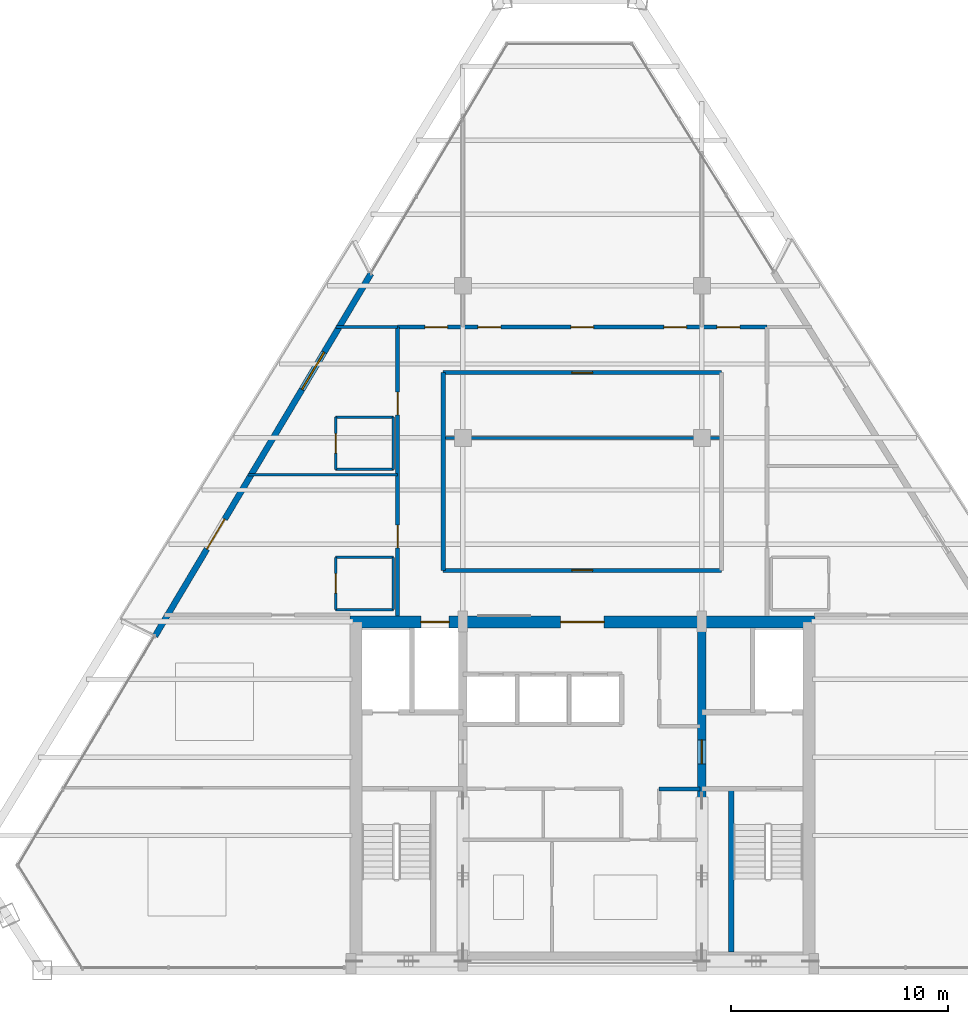
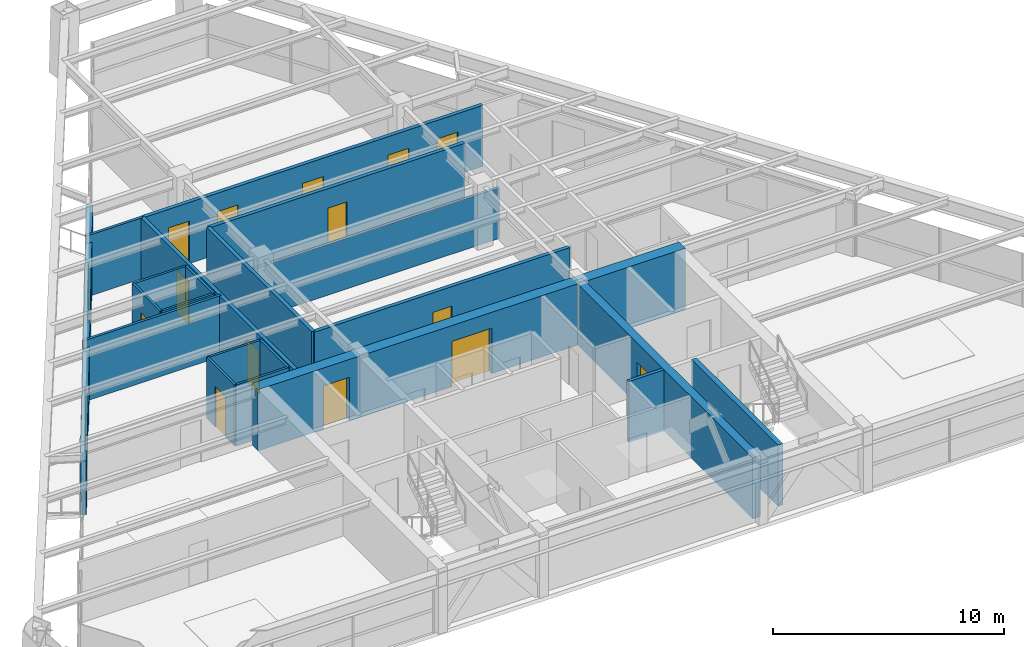
# One storey, part 9 of 12: 21 walls, 15 doors, 1 window, 16 openings.
"""IFC4 building model written with IfcOpenShell, lengths in metres."""

from ifc_helpers import new_model, si_unit, direction, frame, frame_2d, origin, place, context, subcontext, project, spatial, rectangle, extrude, source, transform, mapped, material, layer, layer_set, type_object, type_shapes, element, fill, save


model = new_model("IFC4")

# Units and contexts
model_context = context("Model", 3, precision=1e-05, world=origin(), true_north=direction((0.0, 1.0)))
body_context = subcontext(model_context, "Body", "Model", "MODEL_VIEW")
ifc_project = project(units=[si_unit("LENGTHUNIT", "METRE"), si_unit("AREAUNIT", "SQUARE_METRE"), si_unit("VOLUMEUNIT", "CUBIC_METRE"), si_unit("PLANEANGLEUNIT", "RADIAN"), si_unit("MASSUNIT", "GRAM", prefix="KILO")], contexts=[model_context])

# Site, building, storey
site_placement = place(None, origin())
site = spatial("IfcSite", under=ifc_project, at=site_placement, CompositionType="ELEMENT")
building_placement = place(site_placement, origin())
building = spatial("IfcBuilding", under=site, at=building_placement, Name="Varnakhor Terracotta Tower", CompositionType="ELEMENT")
storey_placement = place(building_placement, frame((0.0, 0.0, 226.89990234375)))
storey = spatial("IfcBuildingStorey", under=building, at=storey_placement, Name="L58", CompositionType="ELEMENT", Elevation=226.89990234375)

# Walls
ifc_material_1 = material(Name="Moisture-Resistant Tile-Backed Partition", Category="gypsum")
ifc_layer_1 = layer(ifc_material_1, 0.114990234375, Name="Moisture-Resistant Tile-Backed Partition")
ifc_layer_set_1 = layer_set([ifc_layer_1], Name="Moisture-Resistant Tile-Backed Partition")
wall_type_1 = type_object("IfcWallType", Name="WAL-BATH-115", PredefinedType="PARTITIONING", material=ifc_layer_set_1)
for number, where, z_axis, x_axis, name in (
    (1, (-11.35009765625, 16.60009765625, 0.0), (0.0, 0.0, 1.0), (1.0, 0.0, 0.0), "L58 En-Suite 1 Wall S"),
    (2, (-11.35009765625, 19.0, 0.0), (0.0, 0.0, 1.0), (1.0, 0.0, 0.0), "L58 En-Suite 1 Wall N"),
):
    element("IfcWall", number, at=place(storey_placement, frame(where, z_axis=z_axis, x_axis=x_axis)), inside=storey, type_object=wall_type_1, Name=name, PredefinedType="PARTITIONING", context=body_context, shape_type="SweptSolid", body=[
        extrude(rectangle(XDim=2.650146484375, YDim=0.114990234375, at=frame_2d((1.3251953125, 0.0))), origin(), (0.0, 0.0, 1.0), 3.232177734375),
    ])

# Wall, opening, door
wall_1_placement = place(storey_placement, frame((-11.35009765625, 16.60009765625, 0.0), z_axis=(0.0, 0.0, 1.0), x_axis=(0.0, 1.0, 0.0)))
wall_1 = element("IfcWall", 3, at=wall_1_placement, inside=storey, type_object=wall_type_1, Name="L58 En-Suite 1 Wall W", PredefinedType="PARTITIONING", context=body_context, shape_type="SweptSolid", body=[
    extrude(rectangle(XDim=2.39990234375, YDim=0.114990234375, at=frame_2d((1.199951171875, 0.0))), origin(), (0.0, 0.0, 1.0), 3.232177734375),
])
opening_1_placement = place(wall_1_placement, frame((0.75, 0.0, 0.0)))
opening_1 = element("IfcOpeningElement", 4, at=opening_1_placement, cuts=wall_1, Name="Opening DR-93", PredefinedType="OPENING", context=body_context, shape_type="SweptSolid", body=[
    extrude(rectangle(XDim=0.89990234375, YDim=2.14990234375, at=frame_2d((0.449951171875, 1.074951171875))), frame((0.0, 0.0673828125, 0.0), z_axis=(0.0, -1.0, 0.0), x_axis=(1.0, 0.0, 0.0)), (0.0, 0.0, 1.0), 0.135009765625),
])
ifc_material_2 = material(Name="Moisture-Resistant Accessible Bathroom Door", Category="wood")
door_type_1 = type_object("IfcDoorType", Name="DR-BATH-900X2150", OperationType="NOTDEFINED", PredefinedType="DOOR", material=ifc_material_2)
shared_shape_1 = source(origin(), body_context, "Body", "SweptSolid", [
    extrude(rectangle(XDim=0.89990234375, YDim=2.14990234375, at=frame_2d((0.449951171875, 1.074951171875))), frame((0.0, 0.02490234375, 0.0), z_axis=(0.0, -1.0, 0.0), x_axis=(1.0, 0.0, 0.0)), (0.0, 0.0, 1.0), 0.050048828125),
])
type_shapes(door_type_1, [shared_shape_1])
door_1_placement = place(opening_1_placement, origin())
door_1 = element("IfcDoor", 5, at=door_1_placement, inside=storey, type_object=door_type_1, Name="L58 En-Suite Bathroom 1 Door", OperationType="SINGLE_SWING_LEFT", OverallHeight=2.14990234375, OverallWidth=0.89990234375, PredefinedType="DOOR", context=body_context, shape_type="MappedRepresentation", body=[
    mapped(shared_shape_1, transform((0.0, 0.0, 0.0), scale=1.0)),
])
fill(opening_1, door_1)

# Walls
wall_2_placement = place(storey_placement, frame((-8.699951171875, 16.60009765625, 0.0), z_axis=(0.0, 0.0, 1.0), x_axis=(0.0, 1.0, 0.0)))
element("IfcWall", 6, at=wall_2_placement, inside=storey, type_object=wall_type_1, Name="L58 En-Suite 1 Wall E", PredefinedType="PARTITIONING", context=body_context, shape_type="SweptSolid", body=[
    extrude(rectangle(XDim=2.39990234375, YDim=0.114990234375, at=frame_2d((1.199951171875, 0.0))), origin(), (0.0, 0.0, 1.0), 3.232177734375),
])
for number, where, z_axis, x_axis, name in (
    (7, (-11.35009765625, 23.050048828125, 0.0), (0.0, 0.0, 1.0), (1.0, 0.0, 0.0), "L58 En-Suite 2 Wall S"),
    (8, (-11.35009765625, 25.449951171875, 0.0), (0.0, 0.0, 1.0), (1.0, 0.0, 0.0), "L58 En-Suite 2 Wall N"),
):
    element("IfcWall", number, at=place(storey_placement, frame(where, z_axis=z_axis, x_axis=x_axis)), inside=storey, type_object=wall_type_1, Name=name, PredefinedType="PARTITIONING", context=body_context, shape_type="SweptSolid", body=[
        extrude(rectangle(XDim=2.650146484375, YDim=0.114990234375, at=frame_2d((1.3251953125, 0.0))), origin(), (0.0, 0.0, 1.0), 3.232177734375),
    ])

# Wall, opening, door
wall_3_placement = place(storey_placement, frame((-11.35009765625, 23.050048828125, 0.0), z_axis=(0.0, 0.0, 1.0), x_axis=(0.0, 1.0, 0.0)))
wall_3 = element("IfcWall", 9, at=wall_3_placement, inside=storey, type_object=wall_type_1, Name="L58 En-Suite 2 Wall W", PredefinedType="PARTITIONING", context=body_context, shape_type="SweptSolid", body=[
    extrude(rectangle(XDim=2.39990234375, YDim=0.114990234375, at=frame_2d((1.199951171875, 0.0))), origin(), (0.0, 0.0, 1.0), 3.232177734375),
])
opening_2_placement = place(wall_3_placement, frame((0.75, 0.0, 0.0)))
opening_2 = element("IfcOpeningElement", 10, at=opening_2_placement, cuts=wall_3, Name="Opening DR-93", PredefinedType="OPENING", context=body_context, shape_type="SweptSolid", body=[
    extrude(rectangle(XDim=0.89990234375, YDim=2.14990234375, at=frame_2d((0.449951171875, 1.074951171875))), frame((0.0, 0.0673828125, 0.0), z_axis=(0.0, -1.0, 0.0), x_axis=(1.0, 0.0, 0.0)), (0.0, 0.0, 1.0), 0.135009765625),
])
door_2_placement = place(opening_2_placement, origin())
door_2 = element("IfcDoor", 11, at=door_2_placement, inside=storey, type_object=door_type_1, Name="L58 En-Suite Bathroom 2 Door", OperationType="SINGLE_SWING_LEFT", OverallHeight=2.14990234375, OverallWidth=0.89990234375, PredefinedType="DOOR", context=body_context, shape_type="MappedRepresentation", body=[
    mapped(shared_shape_1, transform((0.0, 0.0, 0.0), scale=1.0)),
])
fill(opening_2, door_2)

# Wall
wall_4_placement = place(storey_placement, frame((-8.699951171875, 23.050048828125, 0.0), z_axis=(0.0, 0.0, 1.0), x_axis=(0.0, 1.0, 0.0)))
element("IfcWall", 12, at=wall_4_placement, inside=storey, type_object=wall_type_1, Name="L58 En-Suite 2 Wall E", PredefinedType="PARTITIONING", context=body_context, shape_type="SweptSolid", body=[
    extrude(rectangle(XDim=2.39990234375, YDim=0.114990234375, at=frame_2d((1.199951171875, 0.0))), origin(), (0.0, 0.0, 1.0), 3.232177734375),
])

# Wall, openings, doors
ifc_material_3 = material(Name="Concrete C50/60", Category="concrete")
ifc_layer_2 = layer(ifc_material_3, 0.550048828125, Name="Concrete C50/60")
ifc_layer_set_2 = layer_set([ifc_layer_2], Name="Concrete C50/60")
wall_type_2 = type_object("IfcWallType", Name="WAL-CORE-550", PredefinedType="SHEAR", material=ifc_layer_set_2)
wall_5_placement = place(storey_placement, frame((-10.699951171875, 16.02490234375, 0.0), z_axis=(0.0, 0.0, 1.0), x_axis=(1.0, 0.0, 0.0)))
wall_5 = element("IfcWall", 13, at=wall_5_placement, inside=storey, type_object=wall_type_2, Name="L58 North Core Shear Wall", PredefinedType="SHEAR", context=body_context, shape_type="SweptSolid", body=[
    extrude(rectangle(XDim=21.39990234375, YDim=0.550048828125, at=frame_2d((10.699951171875, 0.0))), origin(), (0.0, 0.0, 1.0), 3.239990234375),
])
opening_3_placement = place(wall_5_placement, frame((3.27001953125, 0.0, 0.0)))
opening_3 = element("IfcOpeningElement", 14, at=opening_3_placement, cuts=wall_5, Name="Opening LD-03", PredefinedType="OPENING", context=body_context, shape_type="SweptSolid", body=[
    extrude(rectangle(XDim=1.300048828125, YDim=2.300048828125, at=frame_2d((0.64990234375, 1.14990234375))), frame((0.0, 0.28515625, 0.0), z_axis=(0.0, -1.0, 0.0), x_axis=(1.0, 0.0, 0.0)), (0.0, 0.0, 1.0), 0.570068359375),
])
opening_4_placement = place(wall_5_placement, frame((9.699951171875, 0.0, 0.0)))
opening_4 = element("IfcOpeningElement", 15, at=opening_4_placement, cuts=wall_5, Name="Opening DR-32", PredefinedType="OPENING", context=body_context, shape_type="SweptSolid", body=[
    extrude(rectangle(XDim=2.0, YDim=2.39990234375, at=frame_2d((1.0, 1.199951171875))), frame((0.0, 0.28515625, 0.0), z_axis=(0.0, -1.0, 0.0), x_axis=(1.0, 0.0, 0.0)), (0.0, 0.0, 1.0), 0.570068359375),
])
ifc_material_4 = material(Name="Heavy-Duty Goods Sliding Lift Landing Door", Category="steel")
door_type_2 = type_object("IfcDoorType", Name="LD-SRV-1300X2300", OperationType="NOTDEFINED", PredefinedType="DOOR", material=ifc_material_4)
shared_shape_2 = source(origin(), body_context, "Body", "SweptSolid", [
    extrude(rectangle(XDim=1.300048828125, YDim=2.300048828125, at=frame_2d((0.64990234375, 1.14990234375))), frame((0.0, 0.02490234375, 0.0), z_axis=(0.0, -1.0, 0.0), x_axis=(1.0, 0.0, 0.0)), (0.0, 0.0, 1.0), 0.050048828125),
])
type_shapes(door_type_2, [shared_shape_2])
door_3_placement = place(opening_3_placement, origin())
door_3 = element("IfcDoor", 16, at=door_3_placement, inside=storey, type_object=door_type_2, Name="L58 Service Lift SVL-1 Landing Door", OperationType="SLIDING_TO_RIGHT", OverallHeight=2.300048828125, OverallWidth=1.300048828125, PredefinedType="DOOR", context=body_context, shape_type="MappedRepresentation", body=[
    mapped(shared_shape_2, transform((0.0, 0.0, 0.0), scale=1.0)),
])
fill(opening_3, door_3)
ifc_material_5 = material(Name="Acoustic Double Assembly Fire Door", Category="wood")
door_type_3 = type_object("IfcDoorType", Name="DR-HALL-2000X2400", OperationType="NOTDEFINED", PredefinedType="DOOR", material=ifc_material_5)
shared_shape_3 = source(origin(), body_context, "Body", "SweptSolid", [
    extrude(rectangle(XDim=2.0, YDim=2.39990234375, at=frame_2d((1.0, 1.199951171875))), frame((0.0, 0.02490234375, 0.0), z_axis=(0.0, -1.0, 0.0), x_axis=(1.0, 0.0, 0.0)), (0.0, 0.0, 1.0), 0.050048828125),
])
type_shapes(door_type_3, [shared_shape_3])
door_4_placement = place(opening_4_placement, origin())
door_4 = element("IfcDoor", 17, at=door_4_placement, inside=storey, type_object=door_type_3, Name="L58 Core Main Lobby Double Door", OperationType="DOUBLE_DOOR_SINGLE_SWING", OverallHeight=2.39990234375, OverallWidth=2.0, PredefinedType="DOOR", context=body_context, shape_type="MappedRepresentation", body=[
    mapped(shared_shape_3, transform((0.0, 0.0, 0.0), scale=1.0)),
])
fill(opening_4, door_4)

# Wall, opening, door
ifc_layer_3 = layer(ifc_material_3, 0.39990234375, Name="Concrete C50/60")
ifc_layer_set_3 = layer_set([ifc_layer_3], Name="Concrete C50/60")
wall_type_3 = type_object("IfcWallType", Name="WAL-CORE-WEB-400", PredefinedType="SHEAR", material=ifc_layer_set_3)
wall_6_placement = place(storey_placement, frame((5.5, 0.574951171875, 0.0), z_axis=(0.0, 0.0, 1.0), x_axis=(0.0, 1.0, 0.0)))
wall_6 = element("IfcWall", 18, at=wall_6_placement, inside=storey, type_object=wall_type_3, Name="L58 East Core Web Shear Wall", PredefinedType="SHEAR", context=body_context, shape_type="SweptSolid", body=[
    extrude(rectangle(XDim=15.449951171875, YDim=0.39990234375, at=frame_2d((7.72509765625, 0.0))), origin(), (0.0, 0.0, 1.0), 3.239990234375),
])
opening_5_placement = place(wall_6_placement, frame((8.925048828125, 0.0, 0.0)))
opening_5 = element("IfcOpeningElement", 19, at=opening_5_placement, cuts=wall_6, Name="Opening DR-25", PredefinedType="OPENING", context=body_context, shape_type="SweptSolid", body=[
    extrude(rectangle(XDim=1.10009765625, YDim=2.199951171875, at=frame_2d((0.550048828125, 1.10009765625))), frame((0.0, 0.2099609375, 0.0), z_axis=(0.0, -1.0, 0.0), x_axis=(1.0, 0.0, 0.0)), (0.0, 0.0, 1.0), 0.419921875),
])
ifc_material_6 = material(Name="Firefighting Lobby Self-Closing Fire Door", Category="steel")
door_type_4 = type_object("IfcDoorType", Name="DR-FFL-1100X2200", OperationType="NOTDEFINED", PredefinedType="DOOR", material=ifc_material_6)
shared_shape_4 = source(origin(), body_context, "Body", "SweptSolid", [
    extrude(rectangle(XDim=1.10009765625, YDim=2.199951171875, at=frame_2d((0.550048828125, 1.10009765625))), frame((0.0, 0.02490234375, 0.0), z_axis=(0.0, -1.0, 0.0), x_axis=(1.0, 0.0, 0.0)), (0.0, 0.0, 1.0), 0.050048828125),
])
type_shapes(door_type_4, [shared_shape_4])
door_5_placement = place(opening_5_placement, origin())
door_5 = element("IfcDoor", 20, at=door_5_placement, inside=storey, type_object=door_type_4, Name="L58 East Firefighting Lobby Door", OperationType="SINGLE_SWING_RIGHT", OverallHeight=2.199951171875, OverallWidth=1.10009765625, PredefinedType="DOOR", context=body_context, shape_type="MappedRepresentation", body=[
    mapped(shared_shape_4, transform((0.0, 0.0, 0.0), scale=1.0)),
])
fill(opening_5, door_5)

ifc_material_7 = material(Name="Fire-Rated Gypsum Stud Partition", Category="gypsum")
ifc_layer_4 = layer(ifc_material_7, 0.18505859375, Name="Fire-Rated Gypsum Stud Partition")
ifc_layer_set_4 = layer_set([ifc_layer_4], Name="Fire-Rated Gypsum Stud Partition")
wall_type_4 = type_object("IfcWallType", Name="WAL-CORR-185", PredefinedType="PARTITIONING", material=ifc_layer_set_4)
wall_7_placement = place(storey_placement, frame((-6.39990234375, 18.39990234375, 0.0), z_axis=(0.0, 0.0, 1.0), x_axis=(1.0, 0.0, 0.0)))
wall_7 = element("IfcWall", 21, at=wall_7_placement, inside=storey, type_object=wall_type_4, Name="L58 Ring Inner South Wall", PredefinedType="PARTITIONING", context=body_context, shape_type="SweptSolid", body=[
    extrude(rectangle(XDim=12.7998046875, YDim=0.18505859375, at=frame_2d((6.39990234375, 0.0))), origin(), (0.0, 0.0, 1.0), 3.232177734375),
])
opening_6_placement = place(wall_7_placement, frame((5.925048828125, 0.0, 0.0)))
opening_6 = element("IfcOpeningElement", 22, at=opening_6_placement, cuts=wall_7, Name="Opening DR-94", PredefinedType="OPENING", context=body_context, shape_type="SweptSolid", body=[
    extrude(rectangle(XDim=0.949951171875, YDim=2.199951171875, at=frame_2d((0.47509765625, 1.10009765625))), frame((0.0, 0.1025390625, 0.0), z_axis=(0.0, -1.0, 0.0), x_axis=(1.0, 0.0, 0.0)), (0.0, 0.0, 1.0), 0.205078125),
])
ifc_material_8 = material(Name="Acoustic Glazed-Vision Timber Office Door", Category="wood")
door_type_5 = type_object("IfcDoorType", Name="DR-OFF-950X2200", OperationType="NOTDEFINED", PredefinedType="DOOR", material=ifc_material_8)
shared_shape_5 = source(origin(), body_context, "Body", "SweptSolid", [
    extrude(rectangle(XDim=0.949951171875, YDim=2.199951171875, at=frame_2d((0.47509765625, 1.10009765625))), frame((0.0, 0.02490234375, 0.0), z_axis=(0.0, -1.0, 0.0), x_axis=(1.0, 0.0, 0.0)), (0.0, 0.0, 1.0), 0.050048828125),
])
type_shapes(door_type_5, [shared_shape_5])
door_6_placement = place(opening_6_placement, origin())
door_6 = element("IfcDoor", 23, at=door_6_placement, inside=storey, type_object=door_type_5, Name="L58 Housekeeping Station Door", OperationType="SINGLE_SWING_LEFT", OverallHeight=2.199951171875, OverallWidth=0.949951171875, PredefinedType="DOOR", context=body_context, shape_type="MappedRepresentation", body=[
    mapped(shared_shape_5, transform((0.0, 0.0, 0.0), scale=1.0)),
])
fill(opening_6, door_6)

wall_8_placement = place(storey_placement, frame((-6.39990234375, 27.5, 0.0), z_axis=(0.0, 0.0, 1.0), x_axis=(1.0, 0.0, 0.0)))
wall_8 = element("IfcWall", 24, at=wall_8_placement, inside=storey, type_object=wall_type_4, Name="L58 Ring Inner North Wall", PredefinedType="PARTITIONING", context=body_context, shape_type="SweptSolid", body=[
    extrude(rectangle(XDim=12.7998046875, YDim=0.18505859375, at=frame_2d((6.39990234375, 0.0))), origin(), (0.0, 0.0, 1.0), 3.232177734375),
])
opening_7_placement = place(wall_8_placement, frame((5.925048828125, 0.0, 0.0)))
opening_7 = element("IfcOpeningElement", 25, at=opening_7_placement, cuts=wall_8, Name="Opening DR-94", PredefinedType="OPENING", context=body_context, shape_type="SweptSolid", body=[
    extrude(rectangle(XDim=0.949951171875, YDim=2.199951171875, at=frame_2d((0.47509765625, 1.10009765625))), frame((0.0, 0.1025390625, 0.0), z_axis=(0.0, -1.0, 0.0), x_axis=(1.0, 0.0, 0.0)), (0.0, 0.0, 1.0), 0.205078125),
])
door_7_placement = place(opening_7_placement, origin())
door_7 = element("IfcDoor", 26, at=door_7_placement, inside=storey, type_object=door_type_5, Name="L58 Inner Service Door", OperationType="SINGLE_SWING_RIGHT", OverallHeight=2.199951171875, OverallWidth=0.949951171875, PredefinedType="DOOR", context=body_context, shape_type="MappedRepresentation", body=[
    mapped(shared_shape_5, transform((0.0, 0.0, 0.0), scale=1.0)),
])
fill(opening_7, door_7)

# Wall
wall_9_placement = place(storey_placement, frame((-6.39990234375, 18.39990234375, 0.0), z_axis=(0.0, 0.0, 1.0), x_axis=(0.0, 1.0, 0.0)))
element("IfcWall", 27, at=wall_9_placement, inside=storey, type_object=wall_type_4, Name="L58 Ring Inner West Wall", PredefinedType="PARTITIONING", context=body_context, shape_type="SweptSolid", body=[
    extrude(rectangle(XDim=9.10009765625, YDim=0.18505859375, at=frame_2d((4.550048828125, 0.0))), origin(), (0.0, 0.0, 1.0), 3.232177734375),
])

# Wall, openings, doors
wall_10_placement = place(storey_placement, frame((-8.5, 16.300048828125, 0.0), z_axis=(0.0, 0.0, 1.0), x_axis=(0.0, 1.0, 0.0)))
wall_10 = element("IfcWall", 28, at=wall_10_placement, inside=storey, type_object=wall_type_4, Name="L58 Hotel West Corridor Wall", PredefinedType="PARTITIONING", context=body_context, shape_type="SweptSolid", body=[
    extrude(rectangle(XDim=13.300048828125, YDim=0.18505859375, at=frame_2d((6.64990234375, 0.0))), origin(), (0.0, 0.0, 1.0), 3.232177734375),
])
opening_8_placement = place(wall_10_placement, frame((3.135986328125, 0.0, 0.0)))
opening_8 = element("IfcOpeningElement", 29, at=opening_8_placement, cuts=wall_10, Name="Opening DR-95", PredefinedType="OPENING", context=body_context, shape_type="SweptSolid", body=[
    extrude(rectangle(XDim=1.050048828125, YDim=2.25, at=frame_2d((0.52490234375, 1.125))), frame((0.0, 0.1025390625, 0.0), z_axis=(0.0, -1.0, 0.0), x_axis=(1.0, 0.0, 0.0)), (0.0, 0.0, 1.0), 0.205078125),
])
opening_9_placement = place(wall_10_placement, frame((9.25634765625, 0.0, 0.0)))
opening_9 = element("IfcOpeningElement", 30, at=opening_9_placement, cuts=wall_10, Name="Opening DR-95", PredefinedType="OPENING", context=body_context, shape_type="SweptSolid", body=[
    extrude(rectangle(XDim=1.050048828125, YDim=2.25, at=frame_2d((0.52490234375, 1.125))), frame((0.0, 0.1025390625, 0.0), z_axis=(0.0, -1.0, 0.0), x_axis=(1.0, 0.0, 0.0)), (0.0, 0.0, 1.0), 0.205078125),
])
ifc_material_9 = material(Name="Solid-Core Timber Tenant/Hotel Entrance Door", Category="wood")
door_type_6 = type_object("IfcDoorType", Name="DR-SUITE-1050X2250", OperationType="NOTDEFINED", PredefinedType="DOOR", material=ifc_material_9)
shared_shape_6 = source(origin(), body_context, "Body", "SweptSolid", [
    extrude(rectangle(XDim=1.050048828125, YDim=2.25, at=frame_2d((0.52490234375, 1.125))), frame((0.0, 0.02490234375, 0.0), z_axis=(0.0, -1.0, 0.0), x_axis=(1.0, 0.0, 0.0)), (0.0, 0.0, 1.0), 0.050048828125),
])
type_shapes(door_type_6, [shared_shape_6])
door_8_placement = place(opening_8_placement, origin())
door_8 = element("IfcDoor", 31, at=door_8_placement, inside=storey, type_object=door_type_6, Name="L58 West Room 1 Entry Door", OperationType="SINGLE_SWING_RIGHT", OverallHeight=2.25, OverallWidth=1.050048828125, PredefinedType="DOOR", context=body_context, shape_type="MappedRepresentation", body=[
    mapped(shared_shape_6, transform((0.0, 0.0, 0.0), scale=1.0)),
])
fill(opening_8, door_8)
door_9_placement = place(opening_9_placement, origin())
door_9 = element("IfcDoor", 32, at=door_9_placement, inside=storey, type_object=door_type_6, Name="L58 West Room 2 Entry Door", OperationType="SINGLE_SWING_RIGHT", OverallHeight=2.25, OverallWidth=1.050048828125, PredefinedType="DOOR", context=body_context, shape_type="MappedRepresentation", body=[
    mapped(shared_shape_6, transform((0.0, 0.0, 0.0), scale=1.0)),
])
fill(opening_9, door_9)

wall_11_placement = place(storey_placement, frame((-8.5, 29.60009765625, 0.0), z_axis=(0.0, 0.0, 1.0), x_axis=(1.0, 0.0, 0.0)))
wall_11 = element("IfcWall", 33, at=wall_11_placement, inside=storey, type_object=wall_type_4, Name="L58 Hotel North Corridor Wall", PredefinedType="PARTITIONING", context=body_context, shape_type="SweptSolid", body=[
    extrude(rectangle(XDim=17.0, YDim=0.18505859375, at=frame_2d((8.5, 0.0))), origin(), (0.0, 0.0, 1.0), 3.232177734375),
])
opening_10_placement = place(wall_11_placement, frame((3.697509765625, 0.0, 0.0)))
opening_10 = element("IfcOpeningElement", 34, at=opening_10_placement, cuts=wall_11, Name="Opening DR-95", PredefinedType="OPENING", context=body_context, shape_type="SweptSolid", body=[
    extrude(rectangle(XDim=1.050048828125, YDim=2.25, at=frame_2d((0.52490234375, 1.125))), frame((0.0, 0.1025390625, 0.0), z_axis=(0.0, -1.0, 0.0), x_axis=(1.0, 0.0, 0.0)), (0.0, 0.0, 1.0), 0.205078125),
])
opening_11_placement = place(wall_11_placement, frame((7.97509765625, 0.0, 0.0)))
opening_11 = element("IfcOpeningElement", 35, at=opening_11_placement, cuts=wall_11, Name="Opening DR-95", PredefinedType="OPENING", context=body_context, shape_type="SweptSolid", body=[
    extrude(rectangle(XDim=1.050048828125, YDim=2.25, at=frame_2d((0.52490234375, 1.125))), frame((0.0, 0.1025390625, 0.0), z_axis=(0.0, -1.0, 0.0), x_axis=(1.0, 0.0, 0.0)), (0.0, 0.0, 1.0), 0.205078125),
])
opening_12_placement = place(wall_11_placement, frame((12.25244140625, 0.0, 0.0)))
opening_12 = element("IfcOpeningElement", 36, at=opening_12_placement, cuts=wall_11, Name="Opening DR-95", PredefinedType="OPENING", context=body_context, shape_type="SweptSolid", body=[
    extrude(rectangle(XDim=1.050048828125, YDim=2.25, at=frame_2d((0.52490234375, 1.125))), frame((0.0, 0.1025390625, 0.0), z_axis=(0.0, -1.0, 0.0), x_axis=(1.0, 0.0, 0.0)), (0.0, 0.0, 1.0), 0.205078125),
])
opening_13_placement = place(wall_11_placement, frame((14.697509765625, 0.0, 0.0)))
opening_13 = element("IfcOpeningElement", 37, at=opening_13_placement, cuts=wall_11, Name="Opening DR-95", PredefinedType="OPENING", context=body_context, shape_type="SweptSolid", body=[
    extrude(rectangle(XDim=1.050048828125, YDim=2.25, at=frame_2d((0.52490234375, 1.125))), frame((0.0, 0.1025390625, 0.0), z_axis=(0.0, -1.0, 0.0), x_axis=(1.0, 0.0, 0.0)), (0.0, 0.0, 1.0), 0.205078125),
])
opening_14_placement = place(wall_11_placement, frame((1.25244140625, 0.0, 0.0)))
opening_14 = element("IfcOpeningElement", 38, at=opening_14_placement, cuts=wall_11, Name="Opening DR-95", PredefinedType="OPENING", context=body_context, shape_type="SweptSolid", body=[
    extrude(rectangle(XDim=1.050048828125, YDim=2.25, at=frame_2d((0.52490234375, 1.125))), frame((0.0, 0.1025390625, 0.0), z_axis=(0.0, -1.0, 0.0), x_axis=(1.0, 0.0, 0.0)), (0.0, 0.0, 1.0), 0.205078125),
])
door_10_placement = place(opening_10_placement, origin())
door_10 = element("IfcDoor", 39, at=door_10_placement, inside=storey, type_object=door_type_6, Name="L58 North Suite 1 Entry Door", OperationType="SINGLE_SWING_LEFT", OverallHeight=2.25, OverallWidth=1.050048828125, PredefinedType="DOOR", context=body_context, shape_type="MappedRepresentation", body=[
    mapped(shared_shape_6, transform((0.0, 0.0, 0.0), scale=1.0)),
])
fill(opening_10, door_10)
door_11_placement = place(opening_11_placement, origin())
door_11 = element("IfcDoor", 40, at=door_11_placement, inside=storey, type_object=door_type_6, Name="L58 North Suite 2 Entry Door", OperationType="SINGLE_SWING_RIGHT", OverallHeight=2.25, OverallWidth=1.050048828125, PredefinedType="DOOR", context=body_context, shape_type="MappedRepresentation", body=[
    mapped(shared_shape_6, transform((0.0, 0.0, 0.0), scale=1.0)),
])
fill(opening_11, door_11)
door_12_placement = place(opening_12_placement, origin())
door_12 = element("IfcDoor", 41, at=door_12_placement, inside=storey, type_object=door_type_6, Name="L58 North Suite 3 Entry Door", OperationType="SINGLE_SWING_LEFT", OverallHeight=2.25, OverallWidth=1.050048828125, PredefinedType="DOOR", context=body_context, shape_type="MappedRepresentation", body=[
    mapped(shared_shape_6, transform((0.0, 0.0, 0.0), scale=1.0)),
])
fill(opening_12, door_12)
door_13_placement = place(opening_13_placement, origin())
door_13 = element("IfcDoor", 42, at=door_13_placement, inside=storey, type_object=door_type_6, Name="L58 Executive Partner Office NE Door", OperationType="SINGLE_SWING_RIGHT", OverallHeight=2.25, OverallWidth=1.050048828125, PredefinedType="DOOR", context=body_context, shape_type="MappedRepresentation", body=[
    mapped(shared_shape_6, transform((0.0, 0.0, 0.0), scale=1.0)),
])
fill(opening_13, door_13)
door_14_placement = place(opening_14_placement, origin())
door_14 = element("IfcDoor", 43, at=door_14_placement, inside=storey, type_object=door_type_6, Name="L58 Executive Partner Office NW Door", OperationType="SINGLE_SWING_LEFT", OverallHeight=2.25, OverallWidth=1.050048828125, PredefinedType="DOOR", context=body_context, shape_type="MappedRepresentation", body=[
    mapped(shared_shape_6, transform((0.0, 0.0, 0.0), scale=1.0)),
])
fill(opening_14, door_14)

# Wall, openings, door, window
ifc_material_10 = material(Name="Extruded Architectural Terracotta Assembly", Category="masonry")
ifc_layer_5 = layer(ifc_material_10, 0.280029296875, Name="Extruded Architectural Terracotta Assembly")
ifc_layer_set_5 = layer_set([ifc_layer_5], Name="Extruded Architectural Terracotta Assembly")
wall_type_5 = type_object("IfcWallType", Name="WAL-EXT-TERRACOTTA-280", PredefinedType="SOLIDWALL", material=ifc_layer_set_5)
wall_12_placement = place(storey_placement, frame((-19.661865234375, 15.3818359375, 0.0), z_axis=(0.0, 0.0, 1.0), x_axis=(0.511952859747, 0.859013544361, 0.0)))
wall_12 = element("IfcWall", 44, at=wall_12_placement, inside=storey, type_object=wall_type_5, Name="L58 W Loggia Insulated Terracotta Wall", PredefinedType="SOLIDWALL", context=body_context, shape_type="SweptSolid", body=[
    extrude(rectangle(XDim=19.416748046875, YDim=0.280029296875, at=frame_2d((9.70849609375, 0.0))), origin(), (0.0, 0.0, 1.0), 2.820068359375),
])
opening_15_placement = place(wall_12_placement, frame((4.659912109375, 0.0, 0.0)))
opening_15 = element("IfcOpeningElement", 45, at=opening_15_placement, cuts=wall_12, Name="Opening DR-62", PredefinedType="OPENING", context=body_context, shape_type="SweptSolid", body=[
    extrude(rectangle(XDim=1.60009765625, YDim=2.35009765625, at=frame_2d((0.800048828125, 1.175048828125))), frame((0.0, 0.14990234375, 0.0), z_axis=(0.0, -1.0, 0.0), x_axis=(1.0, 0.0, 0.0)), (0.0, 0.0, 1.0), 0.300048828125),
])
opening_16_placement = place(wall_12_placement, frame((13.203369140625, 0.0, 0.89990234375)))
opening_16 = element("IfcOpeningElement", 46, at=opening_16_placement, cuts=wall_12, Name="Opening WN-63", PredefinedType="OPENING", context=body_context, shape_type="SweptSolid", body=[
    extrude(rectangle(XDim=2.0, YDim=1.75, at=frame_2d((1.0, 0.875))), frame((0.0, 0.14990234375, 0.0), z_axis=(0.0, -1.0, 0.0), x_axis=(1.0, 0.0, 0.0)), (0.0, 0.0, 1.0), 0.300048828125),
])
ifc_material_11 = material(Name="Thermally Broken Sliding Glass Loggia Door", Category="glass")
door_type_7 = type_object("IfcDoorType", Name="DR-EXT-LOGGIA-1600X2350", OperationType="NOTDEFINED", PredefinedType="DOOR", material=ifc_material_11)
shared_shape_7 = source(origin(), body_context, "Body", "SweptSolid", [
    extrude(rectangle(XDim=1.60009765625, YDim=2.35009765625, at=frame_2d((0.800048828125, 1.175048828125))), frame((0.0, 0.02490234375, 0.0), z_axis=(0.0, -1.0, 0.0), x_axis=(1.0, 0.0, 0.0)), (0.0, 0.0, 1.0), 0.050048828125),
])
type_shapes(door_type_7, [shared_shape_7])
door_15_placement = place(opening_15_placement, origin())
door_15 = element("IfcDoor", 47, at=door_15_placement, inside=storey, type_object=door_type_7, Name="L58 W Recessed Loggia Sliding Door", OperationType="SLIDING_TO_LEFT", OverallHeight=2.35009765625, OverallWidth=1.60009765625, PredefinedType="DOOR", context=body_context, shape_type="MappedRepresentation", body=[
    mapped(shared_shape_7, transform((0.0, 0.0, 0.0), scale=1.0)),
])
fill(opening_15, door_15)
ifc_material_12 = material(Name="Solar-Control Low-E Insulated Glass Unit", Category="glass")
window_type = type_object("IfcWindowType", Name="WIN-HTL-2000X1950", PartitioningType="SINGLE_PANEL", PredefinedType="WINDOW", material=ifc_material_12)
shared_shape_8 = source(origin(), body_context, "Body", "SweptSolid", [
    extrude(rectangle(XDim=2.0, YDim=1.75, at=frame_2d((1.0, 0.875))), frame((0.0, 0.030029296875, 0.0), z_axis=(0.0, -1.0, 0.0), x_axis=(1.0, 0.0, 0.0)), (0.0, 0.0, 1.0), 0.06005859375),
])
type_shapes(window_type, [shared_shape_8])
window_placement = place(opening_16_placement, origin())
window = element("IfcWindow", 48, at=window_placement, inside=storey, type_object=window_type, Name="L58 W Facet Punched Window", OverallHeight=1.75, OverallWidth=2.0, PartitioningType="SINGLE_PANEL", PredefinedType="WINDOW", context=body_context, shape_type="MappedRepresentation", body=[
    mapped(shared_shape_8, transform((0.0, 0.0, 0.0), scale=1.0)),
])
fill(opening_16, window)

# Walls
ifc_material_13 = material(Name="Acoustic Hotel Room Partition", Category="gypsum")
ifc_layer_6 = layer(ifc_material_13, 0.1298828125, Name="Acoustic Hotel Room Partition")
ifc_layer_set_6 = layer_set([ifc_layer_6], Name="Acoustic Hotel Room Partition")
wall_type_6 = type_object("IfcWallType", Name="WAL-PART-130", PredefinedType="PARTITIONING", material=ifc_layer_set_6)
wall_13_placement = place(storey_placement, frame((-11.33935546875, 29.60009765625, 0.0), z_axis=(0.0, 0.0, 1.0), x_axis=(1.0, 0.0, 0.0)))
element("IfcWall", 49, at=wall_13_placement, inside=storey, type_object=wall_type_6, Name="L58 North West Suite South Wall", PredefinedType="PARTITIONING", context=body_context, shape_type="SweptSolid", body=[
    extrude(rectangle(XDim=2.83935546875, YDim=0.1298828125, at=frame_2d((1.419677734375, 0.0))), origin(), (0.0, 0.0, 1.0), 3.232177734375),
])
wall_14_placement = place(storey_placement, frame((-15.39208984375, 22.800048828125, 0.0), z_axis=(0.0, 0.0, 1.0), x_axis=(1.0, 0.0, 0.0)))
element("IfcWall", 50, at=wall_14_placement, inside=storey, type_object=wall_type_6, Name="L58 West Key Cut 1", PredefinedType="PARTITIONING", context=body_context, shape_type="SweptSolid", body=[
    extrude(rectangle(XDim=6.89208984375, YDim=0.1298828125, at=frame_2d((3.446044921875, 0.0))), origin(), (0.0, 0.0, 1.0), 3.232177734375),
])
ifc_material_14 = material(Name="Acoustic Metal-Stud Partition", Category="gypsum")
ifc_layer_7 = layer(ifc_material_14, 0.139892578125, Name="Acoustic Metal-Stud Partition")
ifc_layer_set_7 = layer_set([ifc_layer_7], Name="Acoustic Metal-Stud Partition")
wall_type_7 = type_object("IfcWallType", Name="WAL-PART-140", PredefinedType="PARTITIONING", material=ifc_layer_set_7)
wall_15_placement = place(storey_placement, frame((-6.39990234375, 24.5, 0.0), z_axis=(0.0, 0.0, 1.0), x_axis=(1.0, 0.0, 0.0)))
element("IfcWall", 51, at=wall_15_placement, inside=storey, type_object=wall_type_7, Name="L58 Inner Service Split", PredefinedType="PARTITIONING", context=body_context, shape_type="SweptSolid", body=[
    extrude(rectangle(XDim=12.7998046875, YDim=0.139892578125, at=frame_2d((6.39990234375, 0.0))), origin(), (0.0, 0.0, 1.0), 2.68310546875),
])
ifc_material_15 = material(Name="Concrete C40/50", Category="concrete")
ifc_layer_8 = layer(ifc_material_15, 0.25, Name="Concrete C40/50")
ifc_layer_set_8 = layer_set([ifc_layer_8], Name="Concrete C40/50")
wall_type_8 = type_object("IfcWallType", Name="WAL-SHAFT-250", PredefinedType="SOLIDWALL", material=ifc_layer_set_8)
wall_16_placement = place(storey_placement, frame((6.85009765625, 0.85009765625, 0.0), z_axis=(0.0, 0.0, 1.0), x_axis=(0.0, 1.0, 0.0)))
element("IfcWall", 52, at=wall_16_placement, inside=storey, type_object=wall_type_8, Name="L58 Stair ST-2 Bearing Shaft Wall", PredefinedType="SOLIDWALL", context=body_context, shape_type="SweptSolid", body=[
    extrude(rectangle(XDim=7.5, YDim=0.25, at=frame_2d((3.75, 0.0))), origin(), (0.0, 0.0, 1.0), 3.239990234375),
])
ifc_material_16 = material(Name="Acoustic Fire-Rated Partition", Category="gypsum")
ifc_layer_9 = layer(ifc_material_16, 0.1650390625, Name="Acoustic Fire-Rated Partition")
ifc_layer_set_9 = layer_set([ifc_layer_9], Name="Acoustic Fire-Rated Partition")
wall_type_9 = type_object("IfcWallType", Name="WAL-TENANCY-165", PredefinedType="PARTITIONING", material=ifc_layer_set_9)
wall_17_placement = place(storey_placement, frame((3.5400390625, 8.340087890625, 0.0), z_axis=(0.0, 0.0, 1.0), x_axis=(1.0, 0.0, 0.0)))
element("IfcWall", 53, at=wall_17_placement, inside=storey, type_object=wall_type_9, Name="L58 Accessible WC North Wall", PredefinedType="PARTITIONING", context=body_context, shape_type="SweptSolid", body=[
    extrude(rectangle(XDim=1.8798828125, YDim=0.1650390625, at=frame_2d((0.93994140625, 0.0))), origin(), (0.0, 0.0, 1.0), 3.232177734375),
])

save(model, "model.ifc")
